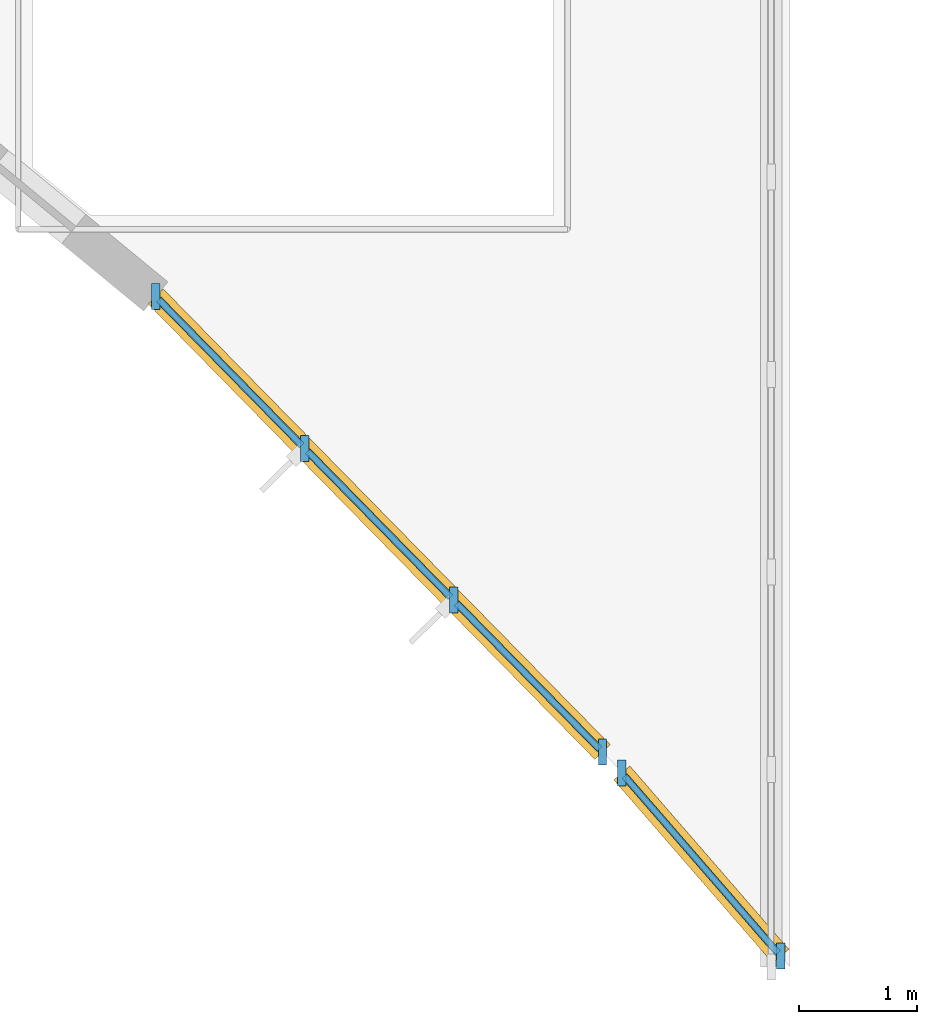
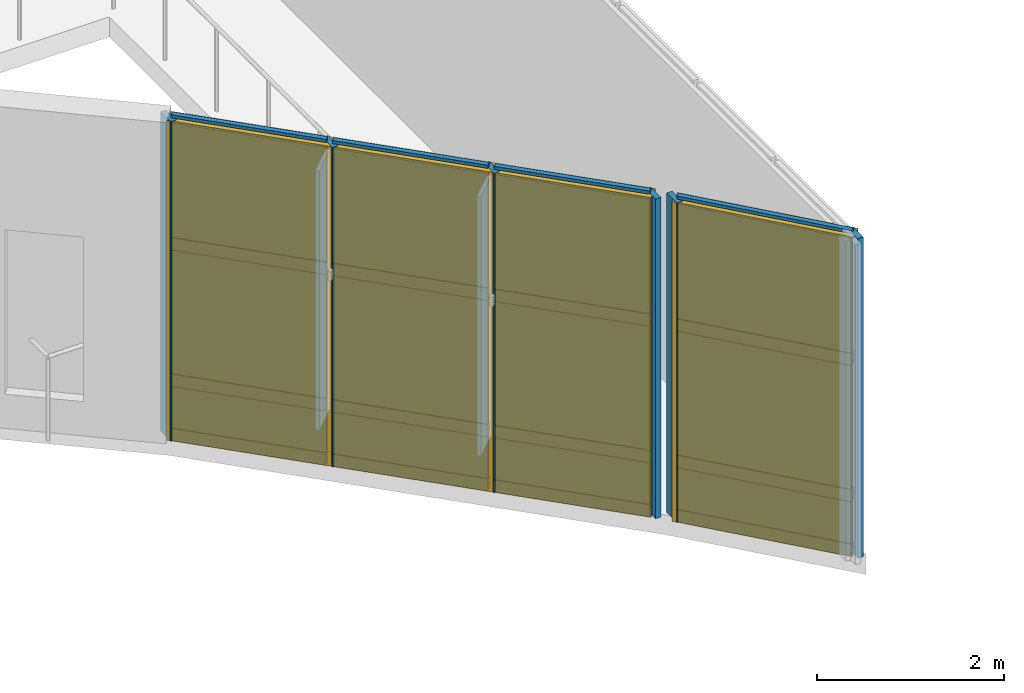
# One storey, part 80 of 122: 22 members, 12 plates, 2 curtain walls.
"""IFC4 building model written with IfcOpenShell, lengths in metres."""

import ifcopenshell
import ifcopenshell.guid

model = None  # the IFC model being written
_history = None  # IfcOwnerHistory: only IFC2X3 demands one
_inside = {}  # id of a spatial element -> (the spatial element, [elements in it])
_under = {}  # id of a project, library or spatial element -> (it, [spatial elements below it])
_declared = {}  # id of a project -> (the project, [libraries it declares])
_typed = {}  # id of a type object -> (the type object, [elements of that type])
_made_of = {}  # id of a material, layer set ... -> (it, [elements and type objects made of it])


def new_model(schema):
    """Start an empty IFC model of exactly this schema.

    Asked for "IFC4X3", IfcOpenShell would pick the latest addendum, in which some entities
    have other attributes; the version numbers below select the first issue.
    IFC2X3 requires an IfcOwnerHistory on every rooted entity: one is made here for all.
    """
    global model, _history
    if schema == "IFC4X3":
        model = ifcopenshell.file(schema_version=(4, 3, 0, 0))
    else:
        model = ifcopenshell.file(schema=schema)
    _inside.clear()
    _under.clear()
    _declared.clear()
    _typed.clear()
    _made_of.clear()
    _history = None
    if model.schema == "IFC2X3":
        org = make("IfcOrganization", Name="unknown")
        user = make(
            "IfcPersonAndOrganization",
            ThePerson=make("IfcPerson", FamilyName="unknown"),
            TheOrganization=org,
        )
        app = make(
            "IfcApplication",
            ApplicationDeveloper=org,
            Version="unknown",
            ApplicationFullName="unknown",
            ApplicationIdentifier="unknown",
        )
        _history = make(
            "IfcOwnerHistory",
            OwningUser=user,
            OwningApplication=app,
            ChangeAction="ADDED",
            CreationDate=0,
        )
    return model


def make(cls, **values):
    """One entity of the class cls with the attributes given. An attribute that is None is left unset."""
    return model.create_entity(
        cls, **{name: value for name, value in values.items() if value is not None}
    )


def rooted(cls, **values):
    """An entity with a GlobalId (a new one), such as an element, a storey or a relation."""
    return make(cls, GlobalId=ifcopenshell.guid.new(), OwnerHistory=_history, **values)


def si_unit(unit_type, name, prefix=None):
    """IfcSIUnit, for example si_unit("LENGTHUNIT", "METRE", prefix="MILLI")."""
    return make("IfcSIUnit", UnitType=unit_type, Prefix=prefix, Name=name)


def assignment(units):
    """IfcUnitAssignment: the units of a project."""
    return None if units is None else make("IfcUnitAssignment", Units=units)


def point(xyz):
    """IfcCartesianPoint."""
    return None if xyz is None else make("IfcCartesianPoint", Coordinates=xyz)


def direction(xyz):
    """IfcDirection."""
    return None if xyz is None else make("IfcDirection", DirectionRatios=xyz)


def frame(location, z_axis=None, x_axis=None):
    """IfcAxis2Placement3D, a coordinate frame: its origin and axes. An axis left out is left unset."""
    return make(
        "IfcAxis2Placement3D",
        Location=point(location),
        Axis=direction(z_axis),
        RefDirection=direction(x_axis),
    )


def frame_2d(location, x_axis=None):
    """IfcAxis2Placement2D, a coordinate frame in the plane: its origin and x axis."""
    return make(
        "IfcAxis2Placement2D", Location=point(location), RefDirection=direction(x_axis)
    )


def origin():
    """The frame at (0, 0, 0) with its axes left unset."""
    return frame((0.0, 0.0, 0.0))


def origin_2d():
    """The frame at (0, 0) in the plane with its x axis left unset."""
    return frame_2d((0.0, 0.0))


def place(relative_to, where):
    """IfcLocalPlacement: puts the frame where relative to a parent placement (None: the world)."""
    return make(
        "IfcLocalPlacement", PlacementRelTo=relative_to, RelativePlacement=where
    )


def context(
    kind, dimensions, precision=None, world=None, true_north=None, identifier=None
):
    """IfcGeometricRepresentationContext, for example the 3D "Model" context."""
    return make(
        "IfcGeometricRepresentationContext",
        ContextIdentifier=identifier,
        ContextType=kind,
        CoordinateSpaceDimension=dimensions,
        Precision=precision,
        WorldCoordinateSystem=world,
        TrueNorth=true_north,
    )


def subcontext(parent, identifier, kind, view, scale=None):
    """IfcGeometricRepresentationSubContext, for example "Body" below "Model"."""
    return make(
        "IfcGeometricRepresentationSubContext",
        ContextIdentifier=identifier,
        ContextType=kind,
        ParentContext=parent,
        TargetScale=scale,
        TargetView=view,
    )


def project(units=None, contexts=None):
    """IfcProject with its units and contexts."""
    return rooted(
        "IfcProject",
        Name="project",
        RepresentationContexts=contexts,
        UnitsInContext=assignment(units),
    )


def spatial(cls, under=None, at=None, **own):
    """A site, building, storey or space (cls), placed at a placement, below another one or the project."""
    s = rooted(cls, ObjectPlacement=at, **own)
    if under is not None:
        _under.setdefault(under.id(), (under, []))[1].append(s)
    return s


def profile(cls, at=None, kind="AREA", **sizes):
    """A parametric profile (cls). Its sizes go by their IFC names, for example OverallWidth=200.0."""
    return make(cls, ProfileType=kind, Position=at, **sizes)


def rectangle(**sizes):
    """IfcRectangleProfileDef."""
    return profile("IfcRectangleProfileDef", **sizes)


def extrude(swept, where, along, depth):
    """IfcExtrudedAreaSolid: the profile swept, set in the frame where, extruded along a direction by depth."""
    return make(
        "IfcExtrudedAreaSolid",
        SweptArea=swept,
        Position=where,
        ExtrudedDirection=direction(along),
        Depth=depth,
    )


def shape(context_of_items, identifier, shape_type, items):
    """IfcShapeRepresentation: the items that make up one representation, for example the "Body"."""
    return make(
        "IfcShapeRepresentation",
        ContextOfItems=context_of_items,
        RepresentationIdentifier=identifier,
        RepresentationType=shape_type,
        Items=items,
    )


def material(Name=None, Category=None):
    """IfcMaterial."""
    return make("IfcMaterial", Name=Name, Category=Category)


def layer(
    of_material, thickness, ventilated=None, Name=None, Category=None, Priority=None
):
    """IfcMaterialLayer: one layer of a wall or slab, of a material (None: an air gap)."""
    return make(
        "IfcMaterialLayer",
        Material=of_material,
        LayerThickness=thickness,
        IsVentilated=ventilated,
        Name=Name,
        Category=Category,
        Priority=Priority,
    )


def layer_set(layers, Name=None):
    """IfcMaterialLayerSet."""
    return make("IfcMaterialLayerSet", MaterialLayers=layers, LayerSetName=Name)


def material_profile(
    of_material, cross_section, Name=None, Category=None, Priority=None
):
    """IfcMaterialProfile: a cross section and its material."""
    return make(
        "IfcMaterialProfile",
        Name=Name,
        Material=of_material,
        Profile=cross_section,
        Priority=Priority,
        Category=Category,
    )


def profile_set(profiles, Name=None, composite=None):
    """IfcMaterialProfileSet."""
    return make(
        "IfcMaterialProfileSet",
        Name=Name,
        MaterialProfiles=profiles,
        CompositeProfile=composite,
    )


def made_of(thing, what):
    """Note that an element or type object is made of a material, layer set ...; save() writes the relation."""
    if what is not None:
        _made_of.setdefault(what.id(), (what, []))[1].append(thing)
    return thing


def type_object(cls, material=None, **own):
    """A type object (cls), such as IfcWallType, which elements share."""
    return made_of(rooted(cls, **own), material)


def element(
    cls,
    number,
    at=None,
    inside=None,
    cuts=None,
    type_object=None,
    material=None,
    context=None,
    identifier="Body",
    shape_type=None,
    held_by="IfcProductDefinitionShape",
    body=None,
    shapes=None,
    **own,
):
    """One element of the class cls, such as IfcWall. Its Tag is "e" and its number.

    at: its placement. inside: the storey or other place that contains it. cuts: it is an
    opening in that element (IfcRelVoidsElement). A single representation is given by context,
    identifier, shape_type and body (its items); several are given by shapes. held_by: the class
    of the entity that holds the representations. save() writes the other relations.
    """
    e = rooted(cls, Tag="e%d" % number, ObjectPlacement=at, **own)
    if body is not None:
        shapes = [shape(context, identifier, shape_type, body)]
    if shapes is not None:
        e.Representation = make(held_by, Representations=shapes)
    if inside is not None:
        _inside.setdefault(inside.id(), (inside, []))[1].append(e)
    if cuts is not None:
        rooted(
            "IfcRelVoidsElement", RelatingBuildingElement=cuts, RelatedOpeningElement=e
        )
    if type_object is not None:
        _typed.setdefault(type_object.id(), (type_object, []))[1].append(e)
    return made_of(e, material)


def aggregate(whole, parts):
    """IfcRelAggregates: a whole, such as a stair, and the parts it consists of."""
    return rooted("IfcRelAggregates", RelatingObject=whole, RelatedObjects=parts)


def save(model, path):
    """Write the relations noted so far, then the file.

    IfcRelAggregates (storeys below a building ...), IfcRelContainedInSpatialStructure (elements
    in a storey), IfcRelDefinesByType, IfcRelAssociatesMaterial and IfcRelDeclares: one each for
    every whole, place, type object, material and project.
    """
    for whole, parts in _under.values():
        aggregate(whole, parts)
    for where, things in _inside.values():
        rooted(
            "IfcRelContainedInSpatialStructure",
            RelatedElements=things,
            RelatingStructure=where,
        )
    for kind, things in _typed.values():
        rooted("IfcRelDefinesByType", RelatedObjects=things, RelatingType=kind)
    for what, things in _made_of.values():
        rooted("IfcRelAssociatesMaterial", RelatedObjects=things, RelatingMaterial=what)
    for by, libraries in _declared.values():
        rooted("IfcRelDeclares", RelatingContext=by, RelatedDefinitions=libraries)
    model.write(path)


model = new_model("IFC4")

# Units and contexts
model_context = context("Model", 3, precision=1e-05, world=origin(), true_north=direction((0.0, 1.0)))
body_context = subcontext(model_context, "Body", "Model", "MODEL_VIEW")
ifc_project = project(units=[si_unit("LENGTHUNIT", "METRE"), si_unit("AREAUNIT", "SQUARE_METRE"), si_unit("VOLUMEUNIT", "CUBIC_METRE"), si_unit("PLANEANGLEUNIT", "RADIAN"), si_unit("MASSUNIT", "GRAM", prefix="KILO")], contexts=[model_context])

# Member
ifc_material_1 = material(Name="Anodised Bronze Aluminium 6063-T6", Category="aluminium")
ifc_material_profile_1 = material_profile(ifc_material_1, rectangle(XDim=0.070068359375, YDim=0.219970703125, at=origin_2d()), Name="ALU MULLION 70x220")
ifc_profile_set_1 = profile_set([ifc_material_profile_1], Name="Anodised Bronze Aluminium 6063-T6")
member_type_1 = type_object("IfcMemberType", Name="Curtain-Wall Heavy Mullion 70x220", PredefinedType="MULLION", material=ifc_profile_set_1)
site_placement = place(None, origin())
building_placement = place(site_placement, origin())
storey_placement = place(building_placement, frame((0.0, 0.0, 4.800048828125)))
member_1_placement = place(storey_placement, frame((111.641845703125, 7.11328125, 0.0), z_axis=(0.0, 0.0, 1.0), x_axis=(1.0, 0.0, 0.0)))
member_1 = element("IfcMember", 1, at=member_1_placement, type_object=member_type_1, Name="Mullion CWM-02 CW-V5-CRN-L01-C17-M01", PredefinedType="MULLION", context=body_context, shape_type="SweptSolid", body=[
    extrude(rectangle(XDim=0.070068359375, YDim=0.219970703125, at=origin_2d()), origin(), (0.0, 0.0, 1.0), 4.179931640625),
])

member_2_placement = place(storey_placement, frame((112.89990234375, 5.830810546875, 0.0), z_axis=(0.0, 0.0, 1.0), x_axis=(1.0, 0.0, 0.0)))
member_2 = element("IfcMember", 2, at=member_2_placement, type_object=member_type_1, Name="Mullion CWM-02 CW-V5-CRN-L01-C17-M02", PredefinedType="MULLION", context=body_context, shape_type="SweptSolid", body=[
    extrude(rectangle(XDim=0.070068359375, YDim=0.219970703125, at=origin_2d()), origin(), (0.0, 0.0, 1.0), 4.179931640625),
])

member_3_placement = place(storey_placement, frame((114.157958984375, 4.548095703125, 0.0), z_axis=(0.0, 0.0, 1.0), x_axis=(1.0, 0.0, 0.0)))
member_3 = element("IfcMember", 3, at=member_3_placement, type_object=member_type_1, Name="Mullion CWM-02 CW-V5-CRN-L01-C17-M03", PredefinedType="MULLION", context=body_context, shape_type="SweptSolid", body=[
    extrude(rectangle(XDim=0.070068359375, YDim=0.219970703125, at=origin_2d()), origin(), (0.0, 0.0, 1.0), 4.179931640625),
])

member_4_placement = place(storey_placement, frame((115.416015625, 3.265380859375, 0.0), z_axis=(0.0, 0.0, 1.0), x_axis=(1.0, 0.0, 0.0)))
member_4 = element("IfcMember", 4, at=member_4_placement, type_object=member_type_1, Name="Mullion CWM-02 CW-V5-CRN-L01-C17-M04", PredefinedType="MULLION", context=body_context, shape_type="SweptSolid", body=[
    extrude(rectangle(XDim=0.070068359375, YDim=0.219970703125, at=origin_2d()), origin(), (0.0, 0.0, 1.0), 4.179931640625),
])

member_5_placement = place(storey_placement, frame((115.57861328125, 3.089111328125, 0.0), z_axis=(0.0, 0.0, 1.0), x_axis=(1.0, 0.0, 0.0)))
member_5 = element("IfcMember", 5, at=member_5_placement, type_object=member_type_1, Name="Mullion CWM-02 CW-V5-CRN-L01-C18-M01", PredefinedType="MULLION", context=body_context, shape_type="SweptSolid", body=[
    extrude(rectangle(XDim=0.070068359375, YDim=0.219970703125, at=origin_2d()), origin(), (0.0, 0.0, 1.0), 4.179931640625),
])

member_6_placement = place(storey_placement, frame((116.92138671875, 1.540771484375, 0.0), z_axis=(0.0, 0.0, 1.0), x_axis=(1.0, 0.0, 0.0)))
member_6 = element("IfcMember", 6, at=member_6_placement, type_object=member_type_1, Name="Mullion CWM-02 CW-V5-CRN-L01-C18-M02", PredefinedType="MULLION", context=body_context, shape_type="SweptSolid", body=[
    extrude(rectangle(XDim=0.070068359375, YDim=0.219970703125, at=origin_2d()), origin(), (0.0, 0.0, 1.0), 4.179931640625),
])

ifc_material_profile_2 = material_profile(ifc_material_1, rectangle(XDim=0.06005859375, YDim=0.159912109375, at=origin_2d()), Name="ALU TRANSOM 60x160")
ifc_profile_set_2 = profile_set([ifc_material_profile_2], Name="Anodised Bronze Aluminium 6063-T6")
member_type_2 = type_object("IfcMemberType", Name="Curtain-Wall Heavy Transom 60x160", PredefinedType="USERDEFINED", material=ifc_profile_set_2)
member_7_placement = place(storey_placement, frame((111.666259765625, 7.08837890625, 0.0400390625), z_axis=(0.700287657852, -0.713860768119, 0.0), x_axis=(0.713860768119, 0.700287657852, 0.0)))
member_7 = element("IfcMember", 7, at=member_7_placement, type_object=member_type_2, Name="Transom CWT-02 CW-V5-CRN-L01-C17-T01.1", ObjectType="TRANSOM", PredefinedType="USERDEFINED", context=body_context, shape_type="SweptSolid", body=[
    extrude(rectangle(XDim=0.06005859375, YDim=0.159912109375, at=origin_2d()), origin(), (0.0, 0.0, 1.0), 1.726806640625),
])

member_8_placement = place(storey_placement, frame((111.666259765625, 7.08837890625, 0.75), z_axis=(0.700287657852, -0.713860768119, 0.0), x_axis=(0.713860768119, 0.700287657852, 0.0)))
member_8 = element("IfcMember", 8, at=member_8_placement, type_object=member_type_2, Name="Transom CWT-02 CW-V5-CRN-L01-C17-T01.2", ObjectType="TRANSOM", PredefinedType="USERDEFINED", context=body_context, shape_type="SweptSolid", body=[
    extrude(rectangle(XDim=0.06005859375, YDim=0.159912109375, at=origin_2d()), origin(), (0.0, 0.0, 1.0), 1.726806640625),
])

member_9_placement = place(storey_placement, frame((111.666259765625, 7.08837890625, 2.533447265625), z_axis=(0.700287657852, -0.713860768119, 0.0), x_axis=(0.713860768119, 0.700287657852, 0.0)))
member_9 = element("IfcMember", 9, at=member_9_placement, type_object=member_type_2, Name="Transom CWT-02 CW-V5-CRN-L01-C17-T01.3", ObjectType="TRANSOM", PredefinedType="USERDEFINED", context=body_context, shape_type="SweptSolid", body=[
    extrude(rectangle(XDim=0.06005859375, YDim=0.159912109375, at=origin_2d()), origin(), (0.0, 0.0, 1.0), 1.726806640625),
])

member_10_placement = place(storey_placement, frame((111.666259765625, 7.08837890625, 4.139892578125), z_axis=(0.700287657852, -0.713860768119, 0.0), x_axis=(0.713860768119, 0.700287657852, 0.0)))
member_10 = element("IfcMember", 10, at=member_10_placement, type_object=member_type_2, Name="Transom CWT-02 CW-V5-CRN-L01-C17-T01.4", ObjectType="TRANSOM", PredefinedType="USERDEFINED", context=body_context, shape_type="SweptSolid", body=[
    extrude(rectangle(XDim=0.06005859375, YDim=0.159912109375, at=origin_2d()), origin(), (0.0, 0.0, 1.0), 1.726806640625),
])

member_11_placement = place(storey_placement, frame((112.92431640625, 5.8056640625, 0.0400390625), z_axis=(0.700215596953, -0.71393145174, 0.0), x_axis=(0.71393145174, 0.700215596953, 0.0)))
member_11 = element("IfcMember", 11, at=member_11_placement, type_object=member_type_2, Name="Transom CWT-02 CW-V5-CRN-L01-C17-T02.1", ObjectType="TRANSOM", PredefinedType="USERDEFINED", context=body_context, shape_type="SweptSolid", body=[
    extrude(rectangle(XDim=0.06005859375, YDim=0.159912109375, at=origin_2d()), origin(), (0.0, 0.0, 1.0), 1.7265625),
])

member_12_placement = place(storey_placement, frame((112.92431640625, 5.8056640625, 0.75), z_axis=(0.700215596953, -0.71393145174, 0.0), x_axis=(0.71393145174, 0.700215596953, 0.0)))
member_12 = element("IfcMember", 12, at=member_12_placement, type_object=member_type_2, Name="Transom CWT-02 CW-V5-CRN-L01-C17-T02.2", ObjectType="TRANSOM", PredefinedType="USERDEFINED", context=body_context, shape_type="SweptSolid", body=[
    extrude(rectangle(XDim=0.06005859375, YDim=0.159912109375, at=origin_2d()), origin(), (0.0, 0.0, 1.0), 1.7265625),
])

member_13_placement = place(storey_placement, frame((112.92431640625, 5.8056640625, 2.533447265625), z_axis=(0.700215596953, -0.71393145174, 0.0), x_axis=(0.71393145174, 0.700215596953, 0.0)))
member_13 = element("IfcMember", 13, at=member_13_placement, type_object=member_type_2, Name="Transom CWT-02 CW-V5-CRN-L01-C17-T02.3", ObjectType="TRANSOM", PredefinedType="USERDEFINED", context=body_context, shape_type="SweptSolid", body=[
    extrude(rectangle(XDim=0.06005859375, YDim=0.159912109375, at=origin_2d()), origin(), (0.0, 0.0, 1.0), 1.7265625),
])

member_14_placement = place(storey_placement, frame((112.92431640625, 5.8056640625, 4.139892578125), z_axis=(0.700215596953, -0.71393145174, 0.0), x_axis=(0.71393145174, 0.700215596953, 0.0)))
member_14 = element("IfcMember", 14, at=member_14_placement, type_object=member_type_2, Name="Transom CWT-02 CW-V5-CRN-L01-C17-T02.4", ObjectType="TRANSOM", PredefinedType="USERDEFINED", context=body_context, shape_type="SweptSolid", body=[
    extrude(rectangle(XDim=0.06005859375, YDim=0.159912109375, at=origin_2d()), origin(), (0.0, 0.0, 1.0), 1.7265625),
])

member_15_placement = place(storey_placement, frame((114.182373046875, 4.523193359375, 0.0400390625), z_axis=(0.700287657852, -0.713860768119, 0.0), x_axis=(0.713860768119, 0.700287657852, 0.0)))
member_15 = element("IfcMember", 15, at=member_15_placement, type_object=member_type_2, Name="Transom CWT-02 CW-V5-CRN-L01-C17-T03.1", ObjectType="TRANSOM", PredefinedType="USERDEFINED", context=body_context, shape_type="SweptSolid", body=[
    extrude(rectangle(XDim=0.06005859375, YDim=0.159912109375, at=origin_2d()), origin(), (0.0, 0.0, 1.0), 1.726806640625),
])

member_16_placement = place(storey_placement, frame((114.182373046875, 4.523193359375, 0.75), z_axis=(0.700287657852, -0.713860768119, 0.0), x_axis=(0.713860768119, 0.700287657852, 0.0)))
member_16 = element("IfcMember", 16, at=member_16_placement, type_object=member_type_2, Name="Transom CWT-02 CW-V5-CRN-L01-C17-T03.2", ObjectType="TRANSOM", PredefinedType="USERDEFINED", context=body_context, shape_type="SweptSolid", body=[
    extrude(rectangle(XDim=0.06005859375, YDim=0.159912109375, at=origin_2d()), origin(), (0.0, 0.0, 1.0), 1.726806640625),
])

member_17_placement = place(storey_placement, frame((114.182373046875, 4.523193359375, 2.533447265625), z_axis=(0.700287657852, -0.713860768119, 0.0), x_axis=(0.713860768119, 0.700287657852, 0.0)))
member_17 = element("IfcMember", 17, at=member_17_placement, type_object=member_type_2, Name="Transom CWT-02 CW-V5-CRN-L01-C17-T03.3", ObjectType="TRANSOM", PredefinedType="USERDEFINED", context=body_context, shape_type="SweptSolid", body=[
    extrude(rectangle(XDim=0.06005859375, YDim=0.159912109375, at=origin_2d()), origin(), (0.0, 0.0, 1.0), 1.726806640625),
])

member_18_placement = place(storey_placement, frame((114.182373046875, 4.523193359375, 4.139892578125), z_axis=(0.700287657852, -0.713860768119, 0.0), x_axis=(0.713860768119, 0.700287657852, 0.0)))
member_18 = element("IfcMember", 18, at=member_18_placement, type_object=member_type_2, Name="Transom CWT-02 CW-V5-CRN-L01-C17-T03.4", ObjectType="TRANSOM", PredefinedType="USERDEFINED", context=body_context, shape_type="SweptSolid", body=[
    extrude(rectangle(XDim=0.06005859375, YDim=0.159912109375, at=origin_2d()), origin(), (0.0, 0.0, 1.0), 1.726806640625),
])

member_19_placement = place(storey_placement, frame((115.6015625, 3.062744140625, 0.0400390625), z_axis=(0.655127718536, -0.755518148297, 0.0), x_axis=(0.755518148297, 0.655127718536, 0.0)))
member_19 = element("IfcMember", 19, at=member_19_placement, type_object=member_type_2, Name="Transom CWT-02 CW-V5-CRN-L01-C18-T01.1", ObjectType="TRANSOM", PredefinedType="USERDEFINED", context=body_context, shape_type="SweptSolid", body=[
    extrude(rectangle(XDim=0.06005859375, YDim=0.159912109375, at=origin_2d()), origin(), (0.0, 0.0, 1.0), 1.9794921875),
])

member_20_placement = place(storey_placement, frame((115.6015625, 3.062744140625, 0.75), z_axis=(0.655127718536, -0.755518148297, 0.0), x_axis=(0.755518148297, 0.655127718536, 0.0)))
member_20 = element("IfcMember", 20, at=member_20_placement, type_object=member_type_2, Name="Transom CWT-02 CW-V5-CRN-L01-C18-T01.2", ObjectType="TRANSOM", PredefinedType="USERDEFINED", context=body_context, shape_type="SweptSolid", body=[
    extrude(rectangle(XDim=0.06005859375, YDim=0.159912109375, at=origin_2d()), origin(), (0.0, 0.0, 1.0), 1.9794921875),
])

member_21_placement = place(storey_placement, frame((115.6015625, 3.062744140625, 2.533447265625), z_axis=(0.655127718536, -0.755518148297, 0.0), x_axis=(0.755518148297, 0.655127718536, 0.0)))
member_21 = element("IfcMember", 21, at=member_21_placement, type_object=member_type_2, Name="Transom CWT-02 CW-V5-CRN-L01-C18-T01.3", ObjectType="TRANSOM", PredefinedType="USERDEFINED", context=body_context, shape_type="SweptSolid", body=[
    extrude(rectangle(XDim=0.06005859375, YDim=0.159912109375, at=origin_2d()), origin(), (0.0, 0.0, 1.0), 1.9794921875),
])

member_22_placement = place(storey_placement, frame((115.6015625, 3.062744140625, 4.139892578125), z_axis=(0.655127718536, -0.755518148297, 0.0), x_axis=(0.755518148297, 0.655127718536, 0.0)))
member_22 = element("IfcMember", 22, at=member_22_placement, type_object=member_type_2, Name="Transom CWT-02 CW-V5-CRN-L01-C18-T01.4", ObjectType="TRANSOM", PredefinedType="USERDEFINED", context=body_context, shape_type="SweptSolid", body=[
    extrude(rectangle(XDim=0.06005859375, YDim=0.159912109375, at=origin_2d()), origin(), (0.0, 0.0, 1.0), 1.9794921875),
])

# Plate
ifc_material_2 = material(Name="Double Low-E Acoustic Laminated Glass", Category="glass")
ifc_layer_1 = layer(ifc_material_2, 0.0439453125, Name="Double Low-E Acoustic Laminated Glass")
ifc_layer_set_1 = layer_set([ifc_layer_1], Name="Double Low-E Acoustic Laminated Glass")
plate_type_1 = type_object("IfcPlateType", Name="Acoustic Laminated Low-E Glazing Unit 44", PredefinedType="CURTAIN_PANEL", material=ifc_layer_set_1)
plate_1_placement = place(storey_placement, frame((112.270751953125, 6.471923828125, 0.780029296875), z_axis=(0.0, 0.0, 1.0), x_axis=(0.700246698398, -0.713900946479, 0.0)))
plate_1 = element("IfcPlate", 23, at=plate_1_placement, type_object=plate_type_1, Name="Curtain Panel CWP-01 CW-V5-CRN-L01-C17-P01.2", PredefinedType="CURTAIN_PANEL", context=body_context, shape_type="SweptSolid", body=[
    extrude(rectangle(XDim=1.7265625, YDim=0.0439453125, at=origin_2d()), origin(), (0.0, 0.0, 1.0), 1.7236328125),
])

plate_2_placement = place(storey_placement, frame((112.270751953125, 6.471923828125, 2.5634765625), z_axis=(0.0, 0.0, 1.0), x_axis=(0.700246698398, -0.713900946479, 0.0)))
plate_2 = element("IfcPlate", 24, at=plate_2_placement, type_object=plate_type_1, Name="Curtain Panel CWP-01 CW-V5-CRN-L01-C17-P01.3", PredefinedType="CURTAIN_PANEL", context=body_context, shape_type="SweptSolid", body=[
    extrude(rectangle(XDim=1.7265625, YDim=0.0439453125, at=origin_2d()), origin(), (0.0, 0.0, 1.0), 1.54638671875),
])

plate_3_placement = place(storey_placement, frame((113.52880859375, 5.189453125, 0.780029296875), z_axis=(0.0, 0.0, 1.0), x_axis=(0.700246698398, -0.713900946479, 0.0)))
plate_3 = element("IfcPlate", 25, at=plate_3_placement, type_object=plate_type_1, Name="Curtain Panel CWP-01 CW-V5-CRN-L01-C17-P02.2", PredefinedType="CURTAIN_PANEL", context=body_context, shape_type="SweptSolid", body=[
    extrude(rectangle(XDim=1.7265625, YDim=0.0439453125, at=origin_2d()), origin(), (0.0, 0.0, 1.0), 1.7236328125),
])

plate_4_placement = place(storey_placement, frame((113.52880859375, 5.189453125, 2.5634765625), z_axis=(0.0, 0.0, 1.0), x_axis=(0.700246698398, -0.713900946479, 0.0)))
plate_4 = element("IfcPlate", 26, at=plate_4_placement, type_object=plate_type_1, Name="Curtain Panel CWP-01 CW-V5-CRN-L01-C17-P02.3", PredefinedType="CURTAIN_PANEL", context=body_context, shape_type="SweptSolid", body=[
    extrude(rectangle(XDim=1.7265625, YDim=0.0439453125, at=origin_2d()), origin(), (0.0, 0.0, 1.0), 1.54638671875),
])

plate_5_placement = place(storey_placement, frame((114.787109375, 3.90673828125, 0.780029296875), z_axis=(0.0, 0.0, 1.0), x_axis=(0.700246698398, -0.713900946479, 0.0)))
plate_5 = element("IfcPlate", 27, at=plate_5_placement, type_object=plate_type_1, Name="Curtain Panel CWP-01 CW-V5-CRN-L01-C17-P03.2", PredefinedType="CURTAIN_PANEL", context=body_context, shape_type="SweptSolid", body=[
    extrude(rectangle(XDim=1.7265625, YDim=0.0439453125, at=origin_2d()), origin(), (0.0, 0.0, 1.0), 1.7236328125),
])

plate_6_placement = place(storey_placement, frame((114.787109375, 3.90673828125, 2.5634765625), z_axis=(0.0, 0.0, 1.0), x_axis=(0.700246698398, -0.713900946479, 0.0)))
plate_6 = element("IfcPlate", 28, at=plate_6_placement, type_object=plate_type_1, Name="Curtain Panel CWP-01 CW-V5-CRN-L01-C17-P03.3", PredefinedType="CURTAIN_PANEL", context=body_context, shape_type="SweptSolid", body=[
    extrude(rectangle(XDim=1.7265625, YDim=0.0439453125, at=origin_2d()), origin(), (0.0, 0.0, 1.0), 1.54638671875),
])

plate_7_placement = place(storey_placement, frame((116.25, 2.31494140625, 0.780029296875), z_axis=(0.0, 0.0, 1.0), x_axis=(0.655168134077, -0.755483101128, 0.0)))
plate_7 = element("IfcPlate", 29, at=plate_7_placement, type_object=plate_type_1, Name="Curtain Panel CWP-01 CW-V5-CRN-L01-C18-P01.2", PredefinedType="CURTAIN_PANEL", context=body_context, shape_type="SweptSolid", body=[
    extrude(rectangle(XDim=1.9794921875, YDim=0.0439453125, at=origin_2d()), origin(), (0.0, 0.0, 1.0), 1.7236328125),
])

plate_8_placement = place(storey_placement, frame((116.25, 2.31494140625, 2.5634765625), z_axis=(0.0, 0.0, 1.0), x_axis=(0.655168134077, -0.755483101128, 0.0)))
plate_8 = element("IfcPlate", 30, at=plate_8_placement, type_object=plate_type_1, Name="Curtain Panel CWP-01 CW-V5-CRN-L01-C18-P01.3", PredefinedType="CURTAIN_PANEL", context=body_context, shape_type="SweptSolid", body=[
    extrude(rectangle(XDim=1.9794921875, YDim=0.0439453125, at=origin_2d()), origin(), (0.0, 0.0, 1.0), 1.54638671875),
])

ifc_material_3 = material(Name="Ceramic-Fritted Tempered Laminated Glass", Category="glass")
ifc_layer_2 = layer(ifc_material_3, 0.0458984375, Name="Ceramic-Fritted Tempered Laminated Glass")
ifc_layer_set_2 = layer_set([ifc_layer_2], Name="Ceramic-Fritted Tempered Laminated Glass")
plate_type_2 = type_object("IfcPlateType", Name="Ceramic-Frit Acoustic Spandrel Glazing 46", PredefinedType="CURTAIN_PANEL", material=ifc_layer_set_2)
plate_9_placement = place(storey_placement, frame((112.270751953125, 6.471923828125, 0.070068359375), z_axis=(0.0, 0.0, 1.0), x_axis=(0.700246698398, -0.713900946479, 0.0)))
plate_9 = element("IfcPlate", 31, at=plate_9_placement, type_object=plate_type_2, Name="Curtain Panel CWP-04 CW-V5-CRN-L01-C17-P01.1", PredefinedType="CURTAIN_PANEL", context=body_context, shape_type="SweptSolid", body=[
    extrude(rectangle(XDim=1.7265625, YDim=0.0458984375, at=origin_2d()), origin(), (0.0, 0.0, 1.0), 0.64990234375),
])

plate_10_placement = place(storey_placement, frame((113.52880859375, 5.189453125, 0.070068359375), z_axis=(0.0, 0.0, 1.0), x_axis=(0.700246698398, -0.713900946479, 0.0)))
plate_10 = element("IfcPlate", 32, at=plate_10_placement, type_object=plate_type_2, Name="Curtain Panel CWP-04 CW-V5-CRN-L01-C17-P02.1", PredefinedType="CURTAIN_PANEL", context=body_context, shape_type="SweptSolid", body=[
    extrude(rectangle(XDim=1.7265625, YDim=0.0458984375, at=origin_2d()), origin(), (0.0, 0.0, 1.0), 0.64990234375),
])

plate_11_placement = place(storey_placement, frame((114.787109375, 3.90673828125, 0.070068359375), z_axis=(0.0, 0.0, 1.0), x_axis=(0.700246698398, -0.713900946479, 0.0)))
plate_11 = element("IfcPlate", 33, at=plate_11_placement, type_object=plate_type_2, Name="Curtain Panel CWP-04 CW-V5-CRN-L01-C17-P03.1", PredefinedType="CURTAIN_PANEL", context=body_context, shape_type="SweptSolid", body=[
    extrude(rectangle(XDim=1.7265625, YDim=0.0458984375, at=origin_2d()), origin(), (0.0, 0.0, 1.0), 0.64990234375),
])

plate_12_placement = place(storey_placement, frame((116.25, 2.31494140625, 0.070068359375), z_axis=(0.0, 0.0, 1.0), x_axis=(0.655168134077, -0.755483101128, 0.0)))
plate_12 = element("IfcPlate", 34, at=plate_12_placement, type_object=plate_type_2, Name="Curtain Panel CWP-04 CW-V5-CRN-L01-C18-P01.1", PredefinedType="CURTAIN_PANEL", context=body_context, shape_type="SweptSolid", body=[
    extrude(rectangle(XDim=1.9794921875, YDim=0.0458984375, at=origin_2d()), origin(), (0.0, 0.0, 1.0), 0.64990234375),
])

# Site, building, storey
site = spatial("IfcSite", under=ifc_project, at=site_placement, CompositionType="ELEMENT")
building = spatial("IfcBuilding", under=site, at=building_placement, Name="Tazoul Stagehouse", CompositionType="ELEMENT")
storey = spatial("IfcBuildingStorey", under=building, at=storey_placement, Name="L01", CompositionType="ELEMENT", Elevation=4.800048828125)

# Curtain wall
curtain_wall_type = type_object("IfcCurtainWallType", Name="Crescent Double-Skin Acoustic Curtain Wall", PredefinedType="NOTDEFINED", material=ifc_material_1)
curtain_wall_1_placement = place(storey_placement, frame((111.641845703125, 7.11328125, 0.0), z_axis=(0.0, 0.0, 1.0), x_axis=(0.700233974264, -0.713913427025, 0.0)))
curtain_wall_1 = element("IfcCurtainWall", 35, at=curtain_wall_1_placement, inside=storey, type_object=curtain_wall_type, Name="L01 Curtain Wall CW-01 (CW-V5-CRN-L01-C17)", PredefinedType="NOTDEFINED", context=body_context, shape_type="SweptSolid", body=[
    extrude(rectangle(XDim=5.389892578125, YDim=0.179931640625, at=frame_2d((2.69482421875, 0.0))), origin(), (0.0, 0.0, 1.0), 4.179931640625),
])

aggregate(curtain_wall_1, [member_1, member_2, member_3, member_4, member_7, member_8, member_9, member_10, plate_9, plate_1, plate_2, member_11, member_12, member_13, member_14, plate_10, plate_3, plate_4, member_15, member_16, member_17, member_18, plate_11, plate_5, plate_6])

curtain_wall_2_placement = place(storey_placement, frame((115.57861328125, 3.089111328125, 0.0), z_axis=(0.0, 0.0, 1.0), x_axis=(0.655175401154, -0.755476798931, 0.0)))
curtain_wall_2 = element("IfcCurtainWall", 36, at=curtain_wall_2_placement, inside=storey, type_object=curtain_wall_type, Name="L01 Curtain Wall CW-01 (CW-V5-CRN-L01-C18)", PredefinedType="NOTDEFINED", context=body_context, shape_type="SweptSolid", body=[
    extrude(rectangle(XDim=2.049560546875, YDim=0.179931640625, at=frame_2d((1.02490234375, 0.0))), origin(), (0.0, 0.0, 1.0), 4.179931640625),
])

aggregate(curtain_wall_2, [member_5, member_6, member_19, member_20, member_21, member_22, plate_12, plate_7, plate_8])

save(model, "model.ifc")
